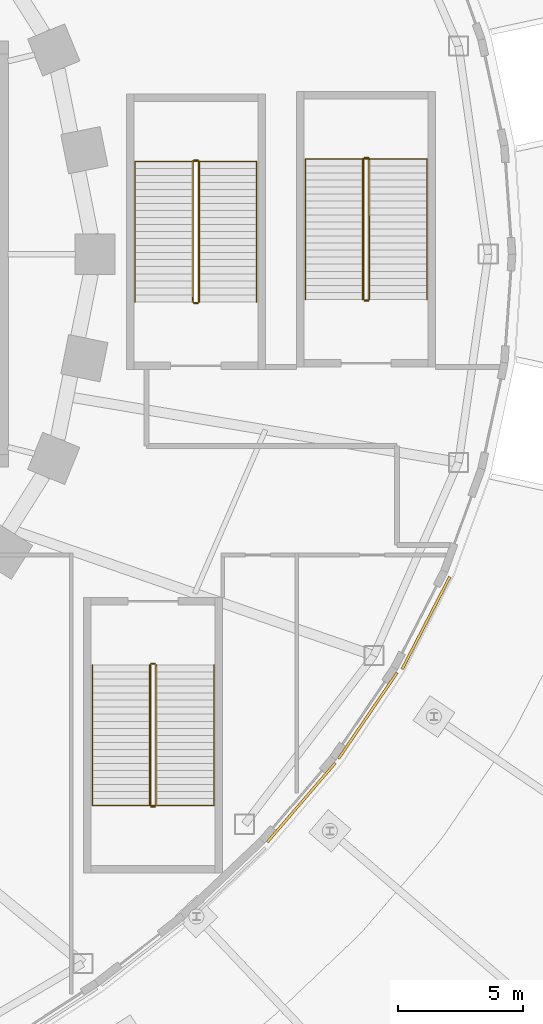
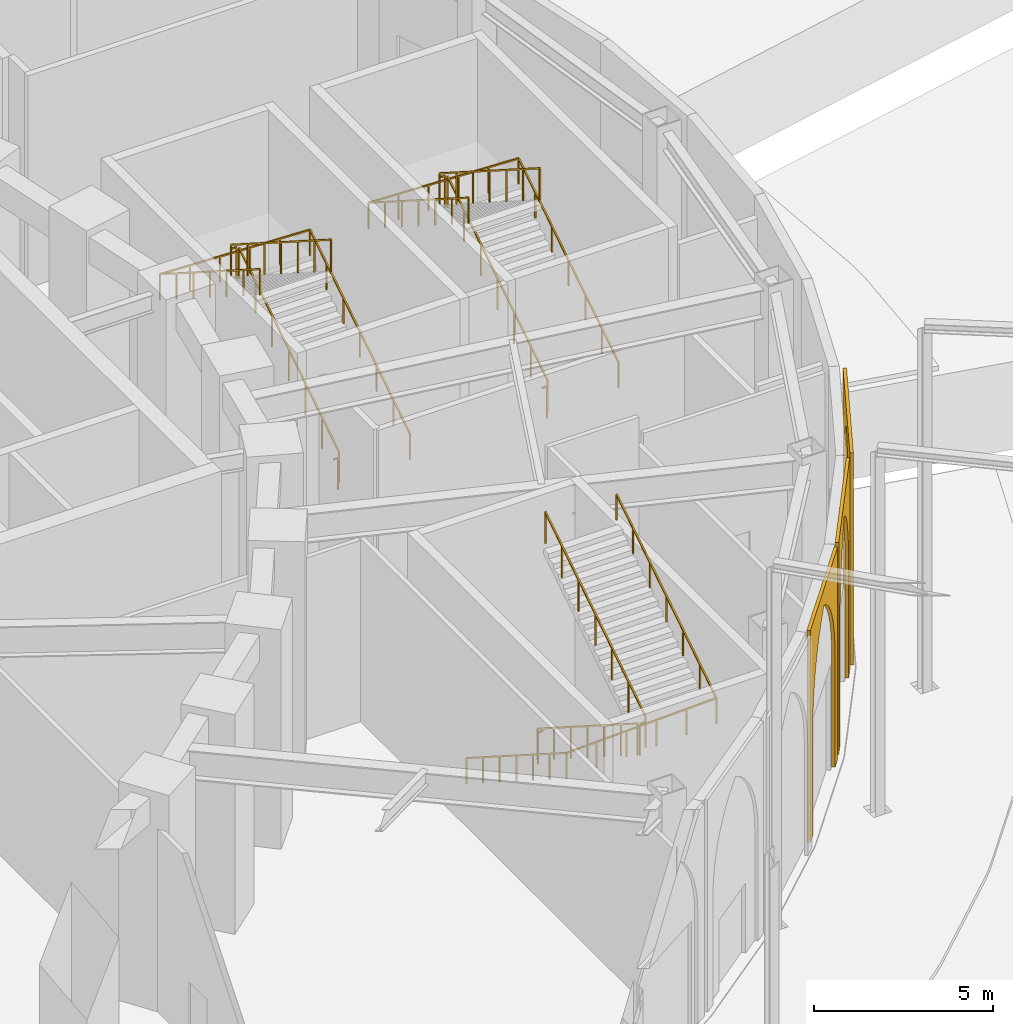
# One storey, part 77 of 79: 15 railings, 3 coverings.
"""IFC4 building model written with IfcOpenShell, lengths in metres."""

import ifcopenshell
import ifcopenshell.guid

model = None  # the IFC model being written
_history = None  # IfcOwnerHistory: only IFC2X3 demands one
_inside = {}  # id of a spatial element -> (the spatial element, [elements in it])
_under = {}  # id of a project, library or spatial element -> (it, [spatial elements below it])
_declared = {}  # id of a project -> (the project, [libraries it declares])
_typed = {}  # id of a type object -> (the type object, [elements of that type])
_made_of = {}  # id of a material, layer set ... -> (it, [elements and type objects made of it])


def new_model(schema):
    """Start an empty IFC model of exactly this schema.

    Asked for "IFC4X3", IfcOpenShell would pick the latest addendum, in which some entities
    have other attributes; the version numbers below select the first issue.
    IFC2X3 requires an IfcOwnerHistory on every rooted entity: one is made here for all.
    """
    global model, _history
    if schema == "IFC4X3":
        model = ifcopenshell.file(schema_version=(4, 3, 0, 0))
    else:
        model = ifcopenshell.file(schema=schema)
    _inside.clear()
    _under.clear()
    _declared.clear()
    _typed.clear()
    _made_of.clear()
    _history = None
    if model.schema == "IFC2X3":
        org = make("IfcOrganization", Name="unknown")
        user = make(
            "IfcPersonAndOrganization",
            ThePerson=make("IfcPerson", FamilyName="unknown"),
            TheOrganization=org,
        )
        app = make(
            "IfcApplication",
            ApplicationDeveloper=org,
            Version="unknown",
            ApplicationFullName="unknown",
            ApplicationIdentifier="unknown",
        )
        _history = make(
            "IfcOwnerHistory",
            OwningUser=user,
            OwningApplication=app,
            ChangeAction="ADDED",
            CreationDate=0,
        )
    return model


def make(cls, **values):
    """One entity of the class cls with the attributes given. An attribute that is None is left unset."""
    return model.create_entity(
        cls, **{name: value for name, value in values.items() if value is not None}
    )


def rooted(cls, **values):
    """An entity with a GlobalId (a new one), such as an element, a storey or a relation."""
    return make(cls, GlobalId=ifcopenshell.guid.new(), OwnerHistory=_history, **values)


def si_unit(unit_type, name, prefix=None):
    """IfcSIUnit, for example si_unit("LENGTHUNIT", "METRE", prefix="MILLI")."""
    return make("IfcSIUnit", UnitType=unit_type, Prefix=prefix, Name=name)


def assignment(units):
    """IfcUnitAssignment: the units of a project."""
    return None if units is None else make("IfcUnitAssignment", Units=units)


def point(xyz):
    """IfcCartesianPoint."""
    return None if xyz is None else make("IfcCartesianPoint", Coordinates=xyz)


def direction(xyz):
    """IfcDirection."""
    return None if xyz is None else make("IfcDirection", DirectionRatios=xyz)


def frame(location, z_axis=None, x_axis=None):
    """IfcAxis2Placement3D, a coordinate frame: its origin and axes. An axis left out is left unset."""
    return make(
        "IfcAxis2Placement3D",
        Location=point(location),
        Axis=direction(z_axis),
        RefDirection=direction(x_axis),
    )


def frame_2d(location, x_axis=None):
    """IfcAxis2Placement2D, a coordinate frame in the plane: its origin and x axis."""
    return make(
        "IfcAxis2Placement2D", Location=point(location), RefDirection=direction(x_axis)
    )


def origin():
    """The frame at (0, 0, 0) with its axes left unset."""
    return frame((0.0, 0.0, 0.0))


def origin_2d():
    """The frame at (0, 0) in the plane with its x axis left unset."""
    return frame_2d((0.0, 0.0))


def place(relative_to, where):
    """IfcLocalPlacement: puts the frame where relative to a parent placement (None: the world)."""
    return make(
        "IfcLocalPlacement", PlacementRelTo=relative_to, RelativePlacement=where
    )


def context(
    kind, dimensions, precision=None, world=None, true_north=None, identifier=None
):
    """IfcGeometricRepresentationContext, for example the 3D "Model" context."""
    return make(
        "IfcGeometricRepresentationContext",
        ContextIdentifier=identifier,
        ContextType=kind,
        CoordinateSpaceDimension=dimensions,
        Precision=precision,
        WorldCoordinateSystem=world,
        TrueNorth=true_north,
    )


def subcontext(parent, identifier, kind, view, scale=None):
    """IfcGeometricRepresentationSubContext, for example "Body" below "Model"."""
    return make(
        "IfcGeometricRepresentationSubContext",
        ContextIdentifier=identifier,
        ContextType=kind,
        ParentContext=parent,
        TargetScale=scale,
        TargetView=view,
    )


def project(units=None, contexts=None):
    """IfcProject with its units and contexts."""
    return rooted(
        "IfcProject",
        Name="project",
        RepresentationContexts=contexts,
        UnitsInContext=assignment(units),
    )


def spatial(cls, under=None, at=None, **own):
    """A site, building, storey or space (cls), placed at a placement, below another one or the project."""
    s = rooted(cls, ObjectPlacement=at, **own)
    if under is not None:
        _under.setdefault(under.id(), (under, []))[1].append(s)
    return s


def polyline(points):
    """IfcPolyline through the points."""
    return make("IfcPolyline", Points=[point(p) for p in points])


def profile(cls, at=None, kind="AREA", **sizes):
    """A parametric profile (cls). Its sizes go by their IFC names, for example OverallWidth=200.0."""
    return make(cls, ProfileType=kind, Position=at, **sizes)


def rectangle(**sizes):
    """IfcRectangleProfileDef."""
    return profile("IfcRectangleProfileDef", **sizes)


def outline(outer, holes=None, kind="AREA"):
    """IfcArbitraryClosedProfileDef: a profile drawn as a closed curve; with holes, ...WithVoids."""
    if holes is None:
        return make("IfcArbitraryClosedProfileDef", ProfileType=kind, OuterCurve=outer)
    return make(
        "IfcArbitraryProfileDefWithVoids",
        ProfileType=kind,
        OuterCurve=outer,
        InnerCurves=holes,
    )


def extrude(swept, where, along, depth):
    """IfcExtrudedAreaSolid: the profile swept, set in the frame where, extruded along a direction by depth."""
    return make(
        "IfcExtrudedAreaSolid",
        SweptArea=swept,
        Position=where,
        ExtrudedDirection=direction(along),
        Depth=depth,
    )


def shape(context_of_items, identifier, shape_type, items):
    """IfcShapeRepresentation: the items that make up one representation, for example the "Body"."""
    return make(
        "IfcShapeRepresentation",
        ContextOfItems=context_of_items,
        RepresentationIdentifier=identifier,
        RepresentationType=shape_type,
        Items=items,
    )


def material(Name=None, Category=None):
    """IfcMaterial."""
    return make("IfcMaterial", Name=Name, Category=Category)


def layer(
    of_material, thickness, ventilated=None, Name=None, Category=None, Priority=None
):
    """IfcMaterialLayer: one layer of a wall or slab, of a material (None: an air gap)."""
    return make(
        "IfcMaterialLayer",
        Material=of_material,
        LayerThickness=thickness,
        IsVentilated=ventilated,
        Name=Name,
        Category=Category,
        Priority=Priority,
    )


def layer_set(layers, Name=None):
    """IfcMaterialLayerSet."""
    return make("IfcMaterialLayerSet", MaterialLayers=layers, LayerSetName=Name)


def made_of(thing, what):
    """Note that an element or type object is made of a material, layer set ...; save() writes the relation."""
    if what is not None:
        _made_of.setdefault(what.id(), (what, []))[1].append(thing)
    return thing


def type_object(cls, material=None, **own):
    """A type object (cls), such as IfcWallType, which elements share."""
    return made_of(rooted(cls, **own), material)


def element(
    cls,
    number,
    at=None,
    inside=None,
    cuts=None,
    type_object=None,
    material=None,
    context=None,
    identifier="Body",
    shape_type=None,
    held_by="IfcProductDefinitionShape",
    body=None,
    shapes=None,
    **own,
):
    """One element of the class cls, such as IfcWall. Its Tag is "e" and its number.

    at: its placement. inside: the storey or other place that contains it. cuts: it is an
    opening in that element (IfcRelVoidsElement). A single representation is given by context,
    identifier, shape_type and body (its items); several are given by shapes. held_by: the class
    of the entity that holds the representations. save() writes the other relations.
    """
    e = rooted(cls, Tag="e%d" % number, ObjectPlacement=at, **own)
    if body is not None:
        shapes = [shape(context, identifier, shape_type, body)]
    if shapes is not None:
        e.Representation = make(held_by, Representations=shapes)
    if inside is not None:
        _inside.setdefault(inside.id(), (inside, []))[1].append(e)
    if cuts is not None:
        rooted(
            "IfcRelVoidsElement", RelatingBuildingElement=cuts, RelatedOpeningElement=e
        )
    if type_object is not None:
        _typed.setdefault(type_object.id(), (type_object, []))[1].append(e)
    return made_of(e, material)


def aggregate(whole, parts):
    """IfcRelAggregates: a whole, such as a stair, and the parts it consists of."""
    return rooted("IfcRelAggregates", RelatingObject=whole, RelatedObjects=parts)


def save(model, path):
    """Write the relations noted so far, then the file.

    IfcRelAggregates (storeys below a building ...), IfcRelContainedInSpatialStructure (elements
    in a storey), IfcRelDefinesByType, IfcRelAssociatesMaterial and IfcRelDeclares: one each for
    every whole, place, type object, material and project.
    """
    for whole, parts in _under.values():
        aggregate(whole, parts)
    for where, things in _inside.values():
        rooted(
            "IfcRelContainedInSpatialStructure",
            RelatedElements=things,
            RelatingStructure=where,
        )
    for kind, things in _typed.values():
        rooted("IfcRelDefinesByType", RelatedObjects=things, RelatingType=kind)
    for what, things in _made_of.values():
        rooted("IfcRelAssociatesMaterial", RelatedObjects=things, RelatingMaterial=what)
    for by, libraries in _declared.values():
        rooted("IfcRelDeclares", RelatingContext=by, RelatedDefinitions=libraries)
    model.write(path)


model = new_model("IFC4")

# Units and contexts
model_context = context("Model", 3, precision=1e-05, world=origin(), true_north=direction((0.0, 1.0)))
body_context = subcontext(model_context, "Body", "Model", "MODEL_VIEW")
ifc_project = project(units=[si_unit("LENGTHUNIT", "METRE"), si_unit("AREAUNIT", "SQUARE_METRE"), si_unit("VOLUMEUNIT", "CUBIC_METRE"), si_unit("PLANEANGLEUNIT", "RADIAN"), si_unit("MASSUNIT", "GRAM", prefix="KILO")], contexts=[model_context])

# Site, building, storey
site_placement = place(None, origin())
site = spatial("IfcSite", under=ifc_project, at=site_placement, CompositionType="ELEMENT")
building_placement = place(site_placement, origin())
building = spatial("IfcBuilding", under=site, at=building_placement, Name="Noorbagh Ring Tower", CompositionType="ELEMENT")
storey_placement = place(building_placement, origin())
storey = spatial("IfcBuildingStorey", under=building, at=storey_placement, Name="L00", CompositionType="ELEMENT", Elevation=0.0)

# Railings
ifc_material_1 = material(Name="Stainless steel", Category="steel")
railing_type_1 = type_object("IfcRailingType", Name="GND-STAIR-GUARD", PredefinedType="GUARDRAIL", material=ifc_material_1)
railing_1_placement = place(storey_placement, frame((39.10009765625, -1.89990234375, 0.178466796875)))
element("IfcRailing", 1, at=railing_1_placement, inside=storey, type_object=railing_type_1, Name="L00 ST-P2 stair guard", PredefinedType="GUARDRAIL", context=body_context, shape_type="SweptSolid", body=[
    extrude(rectangle(XDim=0.048095703125, YDim=0.048095703125, at=origin_2d()), frame((0.0, 0.0, 1.076171875), z_axis=(0.0, 0.843116171273, 0.537731458759), x_axis=(-1.0, 0.0, 0.0)), (0.0, 0.0, 1.0), 6.641845703125),
    extrude(rectangle(XDim=0.0419921875, YDim=0.0419921875, at=origin_2d()), origin(), (0.0, 0.0, 1.0), 1.052001953125),
    extrude(rectangle(XDim=0.0419921875, YDim=0.0419921875, at=origin_2d()), frame((0.0, 0.933349609375, 0.59521484375)), (0.0, 0.0, 1.0), 1.052001953125),
    extrude(rectangle(XDim=0.0419921875, YDim=0.0419921875, at=origin_2d()), frame((0.0, 1.86669921875, 1.1904296875)), (0.0, 0.0, 1.0), 1.052001953125),
    extrude(rectangle(XDim=0.0419921875, YDim=0.0419921875, at=origin_2d()), frame((0.0, 2.7998046875, 1.78564453125)), (0.0, 0.0, 1.0), 1.052001953125),
    extrude(rectangle(XDim=0.0419921875, YDim=0.0419921875, at=origin_2d()), frame((0.0, 3.733154296875, 2.381103515625)), (0.0, 0.0, 1.0), 1.052001953125),
    extrude(rectangle(XDim=0.0419921875, YDim=0.0419921875, at=origin_2d()), frame((0.0, 4.66650390625, 2.976318359375)), (0.0, 0.0, 1.0), 1.052001953125),
    extrude(rectangle(XDim=0.0419921875, YDim=0.0419921875, at=origin_2d()), frame((0.0, 5.599853515625, 3.571533203125)), (0.0, 0.0, 1.0), 1.052001953125),
])
railing_2_placement = place(storey_placement, frame((39.050048828125, 3.75, 3.75)))
element("IfcRailing", 2, at=railing_2_placement, inside=storey, type_object=railing_type_1, Name="L00 ST-P2 stair guard", PredefinedType="GUARDRAIL", context=body_context, shape_type="SweptSolid", body=[
    extrude(rectangle(XDim=0.048095703125, YDim=0.048095703125, at=origin_2d()), frame((0.0, 0.0, 1.076171875), z_axis=(-1.0, 0.0, 0.0), x_axis=(0.0, -1.0, 0.0)), (0.0, 0.0, 1.0), 0.150146484375),
    extrude(rectangle(XDim=0.0419921875, YDim=0.0419921875, at=origin_2d()), origin(), (0.0, 0.0, 1.0), 1.052001953125),
])
railing_3_placement = place(storey_placement, frame((38.85009765625, 3.699951171875, 3.928466796875)))
element("IfcRailing", 3, at=railing_3_placement, inside=storey, type_object=railing_type_1, Name="L00 ST-P2 stair guard", PredefinedType="GUARDRAIL", context=body_context, shape_type="SweptSolid", body=[
    extrude(rectangle(XDim=0.048095703125, YDim=0.048095703125, at=origin_2d()), frame((0.0, 0.0, 1.076171875), z_axis=(0.0, -0.843116171273, 0.537731458759), x_axis=(1.0, 0.0, 0.0)), (0.0, 0.0, 1.0), 6.641845703125),
    extrude(rectangle(XDim=0.0419921875, YDim=0.0419921875, at=origin_2d()), origin(), (0.0, 0.0, 1.0), 1.052001953125),
    extrude(rectangle(XDim=0.0419921875, YDim=0.0419921875, at=origin_2d()), frame((0.0, -0.933349609375, 0.59521484375)), (0.0, 0.0, 1.0), 1.052001953125),
    extrude(rectangle(XDim=0.0419921875, YDim=0.0419921875, at=origin_2d()), frame((0.0, -1.86669921875, 1.1904296875)), (0.0, 0.0, 1.0), 1.052001953125),
    extrude(rectangle(XDim=0.0419921875, YDim=0.0419921875, at=origin_2d()), frame((0.0, -2.7998046875, 1.78564453125)), (0.0, 0.0, 1.0), 1.052001953125),
    extrude(rectangle(XDim=0.0419921875, YDim=0.0419921875, at=origin_2d()), frame((0.0, -3.733154296875, 2.381103515625)), (0.0, 0.0, 1.0), 1.052001953125),
    extrude(rectangle(XDim=0.0419921875, YDim=0.0419921875, at=origin_2d()), frame((0.0, -4.66650390625, 2.976318359375)), (0.0, 0.0, 1.0), 1.052001953125),
    extrude(rectangle(XDim=0.0419921875, YDim=0.0419921875, at=origin_2d()), frame((0.0, -5.599853515625, 3.571533203125)), (0.0, 0.0, 1.0), 1.052001953125),
])
railing_4_placement = place(storey_placement, frame((39.050048828125, -1.949951171875, 0.0)))
element("IfcRailing", 4, at=railing_4_placement, inside=storey, type_object=railing_type_1, Name="L00 ST-P2 stair guard", PredefinedType="GUARDRAIL", context=body_context, shape_type="SweptSolid", body=[
    extrude(rectangle(XDim=0.048095703125, YDim=0.048095703125, at=origin_2d()), frame((0.0, 0.0, 1.076171875), z_axis=(-1.0, 0.0, 0.0), x_axis=(0.0, -1.0, 0.0)), (0.0, 0.0, 1.0), 0.150146484375),
    extrude(rectangle(XDim=0.0419921875, YDim=0.0419921875, at=origin_2d()), origin(), (0.0, 0.0, 1.0), 1.052001953125),
])
railing_5_placement = place(storey_placement, frame((45.89990234375, -1.800048828125, 0.178466796875)))
element("IfcRailing", 5, at=railing_5_placement, inside=storey, type_object=railing_type_1, Name="L00 ST-P4 stair guard", PredefinedType="GUARDRAIL", context=body_context, shape_type="SweptSolid", body=[
    extrude(rectangle(XDim=0.048095703125, YDim=0.048095703125, at=origin_2d()), frame((0.0, 0.0, 1.076171875), z_axis=(0.0, 0.843126799516, 0.537714794233), x_axis=(-1.0, 0.0, 0.0)), (0.0, 0.0, 1.0), 6.64208984375),
    extrude(rectangle(XDim=0.0419921875, YDim=0.0419921875, at=origin_2d()), origin(), (0.0, 0.0, 1.0), 1.052001953125),
    extrude(rectangle(XDim=0.0419921875, YDim=0.0419921875, at=origin_2d()), frame((0.0, 0.933349609375, 0.59521484375)), (0.0, 0.0, 1.0), 1.052001953125),
    extrude(rectangle(XDim=0.0419921875, YDim=0.0419921875, at=origin_2d()), frame((0.0, 1.86669921875, 1.1904296875)), (0.0, 0.0, 1.0), 1.052001953125),
    extrude(rectangle(XDim=0.0419921875, YDim=0.0419921875, at=origin_2d()), frame((0.0, 2.800048828125, 1.78564453125)), (0.0, 0.0, 1.0), 1.052001953125),
    extrude(rectangle(XDim=0.0419921875, YDim=0.0419921875, at=origin_2d()), frame((0.0, 3.7333984375, 2.381103515625)), (0.0, 0.0, 1.0), 1.052001953125),
    extrude(rectangle(XDim=0.0419921875, YDim=0.0419921875, at=origin_2d()), frame((0.0, 4.666748046875, 2.976318359375)), (0.0, 0.0, 1.0), 1.052001953125),
    extrude(rectangle(XDim=0.0419921875, YDim=0.0419921875, at=origin_2d()), frame((0.0, 5.60009765625, 3.571533203125)), (0.0, 0.0, 1.0), 1.052001953125),
])
railing_6_placement = place(storey_placement, frame((45.85009765625, 3.85009765625, 3.75)))
element("IfcRailing", 6, at=railing_6_placement, inside=storey, type_object=railing_type_1, Name="L00 ST-P4 stair guard", PredefinedType="GUARDRAIL", context=body_context, shape_type="SweptSolid", body=[
    extrude(rectangle(XDim=0.048095703125, YDim=0.048095703125, at=origin_2d()), frame((0.0, 0.0, 1.076171875), z_axis=(-1.0, 0.0, 0.0), x_axis=(0.0, -1.0, 0.0)), (0.0, 0.0, 1.0), 0.150146484375),
    extrude(rectangle(XDim=0.0419921875, YDim=0.0419921875, at=origin_2d()), origin(), (0.0, 0.0, 1.0), 1.052001953125),
])
railing_7_placement = place(storey_placement, frame((45.64990234375, 3.800048828125, 3.928466796875)))
element("IfcRailing", 7, at=railing_7_placement, inside=storey, type_object=railing_type_1, Name="L00 ST-P4 stair guard", PredefinedType="GUARDRAIL", context=body_context, shape_type="SweptSolid", body=[
    extrude(rectangle(XDim=0.048095703125, YDim=0.048095703125, at=origin_2d()), frame((0.0, 0.0, 1.076171875), z_axis=(0.0, -0.843126799516, 0.537714794233), x_axis=(1.0, 0.0, 0.0)), (0.0, 0.0, 1.0), 6.64208984375),
    extrude(rectangle(XDim=0.0419921875, YDim=0.0419921875, at=origin_2d()), origin(), (0.0, 0.0, 1.0), 1.052001953125),
    extrude(rectangle(XDim=0.0419921875, YDim=0.0419921875, at=origin_2d()), frame((0.0, -0.933349609375, 0.59521484375)), (0.0, 0.0, 1.0), 1.052001953125),
    extrude(rectangle(XDim=0.0419921875, YDim=0.0419921875, at=origin_2d()), frame((0.0, -1.86669921875, 1.1904296875)), (0.0, 0.0, 1.0), 1.052001953125),
    extrude(rectangle(XDim=0.0419921875, YDim=0.0419921875, at=origin_2d()), frame((0.0, -2.800048828125, 1.78564453125)), (0.0, 0.0, 1.0), 1.052001953125),
    extrude(rectangle(XDim=0.0419921875, YDim=0.0419921875, at=origin_2d()), frame((0.0, -3.7333984375, 2.381103515625)), (0.0, 0.0, 1.0), 1.052001953125),
    extrude(rectangle(XDim=0.0419921875, YDim=0.0419921875, at=origin_2d()), frame((0.0, -4.666748046875, 2.976318359375)), (0.0, 0.0, 1.0), 1.052001953125),
    extrude(rectangle(XDim=0.0419921875, YDim=0.0419921875, at=origin_2d()), frame((0.0, -5.60009765625, 3.571533203125)), (0.0, 0.0, 1.0), 1.052001953125),
])
railing_8_placement = place(storey_placement, frame((45.85009765625, -1.85009765625, 0.0)))
element("IfcRailing", 8, at=railing_8_placement, inside=storey, type_object=railing_type_1, Name="L00 ST-P4 stair guard", PredefinedType="GUARDRAIL", context=body_context, shape_type="SweptSolid", body=[
    extrude(rectangle(XDim=0.048095703125, YDim=0.048095703125, at=origin_2d()), frame((0.0, 0.0, 1.076171875), z_axis=(-1.0, 0.0, 0.0), x_axis=(0.0, -1.0, 0.0)), (0.0, 0.0, 1.0), 0.150146484375),
    extrude(rectangle(XDim=0.0419921875, YDim=0.0419921875, at=origin_2d()), origin(), (0.0, 0.0, 1.0), 1.052001953125),
])
railing_9_placement = place(storey_placement, frame((37.14990234375, -16.39990234375, 0.178466796875)))
element("IfcRailing", 9, at=railing_9_placement, inside=storey, type_object=railing_type_1, Name="L00 ST-P6 stair guard", PredefinedType="GUARDRAIL", context=body_context, shape_type="SweptSolid", body=[
    extrude(rectangle(XDim=0.048095703125, YDim=0.048095703125, at=origin_2d()), frame((0.0, 0.0, 1.076171875), z_axis=(0.0, -0.843126799516, 0.537714794233), x_axis=(1.0, 0.0, 0.0)), (0.0, 0.0, 1.0), 6.64208984375),
    extrude(rectangle(XDim=0.0419921875, YDim=0.0419921875, at=origin_2d()), origin(), (0.0, 0.0, 1.0), 1.052001953125),
    extrude(rectangle(XDim=0.0419921875, YDim=0.0419921875, at=origin_2d()), frame((0.0, -0.933349609375, 0.59521484375)), (0.0, 0.0, 1.0), 1.052001953125),
    extrude(rectangle(XDim=0.0419921875, YDim=0.0419921875, at=origin_2d()), frame((0.0, -1.86669921875, 1.1904296875)), (0.0, 0.0, 1.0), 1.052001953125),
    extrude(rectangle(XDim=0.0419921875, YDim=0.0419921875, at=origin_2d()), frame((0.0, -2.800048828125, 1.78564453125)), (0.0, 0.0, 1.0), 1.052001953125),
    extrude(rectangle(XDim=0.0419921875, YDim=0.0419921875, at=origin_2d()), frame((0.0, -3.7333984375, 2.381103515625)), (0.0, 0.0, 1.0), 1.052001953125),
    extrude(rectangle(XDim=0.0419921875, YDim=0.0419921875, at=origin_2d()), frame((0.0, -4.666748046875, 2.976318359375)), (0.0, 0.0, 1.0), 1.052001953125),
    extrude(rectangle(XDim=0.0419921875, YDim=0.0419921875, at=origin_2d()), frame((0.0, -5.60009765625, 3.571533203125)), (0.0, 0.0, 1.0), 1.052001953125),
])
railing_10_placement = place(storey_placement, frame((37.199951171875, -22.050048828125, 3.75)))
element("IfcRailing", 10, at=railing_10_placement, inside=storey, type_object=railing_type_1, Name="L00 ST-P6 stair guard", PredefinedType="GUARDRAIL", context=body_context, shape_type="SweptSolid", body=[
    extrude(rectangle(XDim=0.048095703125, YDim=0.048095703125, at=origin_2d()), frame((0.0, 0.0, 1.076171875), z_axis=(1.0, 0.0, 0.0), x_axis=(0.0, 1.0, 0.0)), (0.0, 0.0, 1.0), 0.150146484375),
    extrude(rectangle(XDim=0.0419921875, YDim=0.0419921875, at=origin_2d()), origin(), (0.0, 0.0, 1.0), 1.052001953125),
])
railing_11_placement = place(storey_placement, frame((37.39990234375, -22.0, 3.928466796875)))
element("IfcRailing", 11, at=railing_11_placement, inside=storey, type_object=railing_type_1, Name="L00 ST-P6 stair guard", PredefinedType="GUARDRAIL", context=body_context, shape_type="SweptSolid", body=[
    extrude(rectangle(XDim=0.048095703125, YDim=0.048095703125, at=origin_2d()), frame((0.0, 0.0, 1.076171875), z_axis=(0.0, 0.843126799516, 0.537714794233), x_axis=(-1.0, 0.0, 0.0)), (0.0, 0.0, 1.0), 6.64208984375),
    extrude(rectangle(XDim=0.0419921875, YDim=0.0419921875, at=origin_2d()), origin(), (0.0, 0.0, 1.0), 1.052001953125),
    extrude(rectangle(XDim=0.0419921875, YDim=0.0419921875, at=origin_2d()), frame((0.0, 0.933349609375, 0.59521484375)), (0.0, 0.0, 1.0), 1.052001953125),
    extrude(rectangle(XDim=0.0419921875, YDim=0.0419921875, at=origin_2d()), frame((0.0, 1.86669921875, 1.1904296875)), (0.0, 0.0, 1.0), 1.052001953125),
    extrude(rectangle(XDim=0.0419921875, YDim=0.0419921875, at=origin_2d()), frame((0.0, 2.800048828125, 1.78564453125)), (0.0, 0.0, 1.0), 1.052001953125),
    extrude(rectangle(XDim=0.0419921875, YDim=0.0419921875, at=origin_2d()), frame((0.0, 3.7333984375, 2.381103515625)), (0.0, 0.0, 1.0), 1.052001953125),
    extrude(rectangle(XDim=0.0419921875, YDim=0.0419921875, at=origin_2d()), frame((0.0, 4.666748046875, 2.976318359375)), (0.0, 0.0, 1.0), 1.052001953125),
    extrude(rectangle(XDim=0.0419921875, YDim=0.0419921875, at=origin_2d()), frame((0.0, 5.60009765625, 3.571533203125)), (0.0, 0.0, 1.0), 1.052001953125),
])
railing_12_placement = place(storey_placement, frame((37.199951171875, -16.35009765625, 0.0)))
element("IfcRailing", 12, at=railing_12_placement, inside=storey, type_object=railing_type_1, Name="L00 ST-P6 stair guard", PredefinedType="GUARDRAIL", context=body_context, shape_type="SweptSolid", body=[
    extrude(rectangle(XDim=0.048095703125, YDim=0.048095703125, at=origin_2d()), frame((0.0, 0.0, 1.076171875), z_axis=(1.0, 0.0, 0.0), x_axis=(0.0, 1.0, 0.0)), (0.0, 0.0, 1.0), 0.150146484375),
    extrude(rectangle(XDim=0.0419921875, YDim=0.0419921875, at=origin_2d()), origin(), (0.0, 0.0, 1.0), 1.052001953125),
])
ifc_material_2 = material(Name="Stainless steel", Category="steel")
railing_type_2 = type_object("IfcRailingType", Name="GND-STAIR-HANDRAIL", PredefinedType="HANDRAIL", material=ifc_material_2)
railing_13_placement = place(storey_placement, frame((41.39990234375, -1.89990234375, 0.178466796875)))
element("IfcRailing", 13, at=railing_13_placement, inside=storey, type_object=railing_type_2, Name="L00 ST-P2 stair handrail", PredefinedType="HANDRAIL", context=body_context, shape_type="SweptSolid", body=[
    extrude(rectangle(XDim=0.048095703125, YDim=0.048095703125, at=origin_2d()), frame((0.0, 0.0, 0.8759765625), z_axis=(0.0, 0.843116171273, 0.537731458759), x_axis=(-1.0, 0.0, 0.0)), (0.0, 0.0, 1.0), 6.641845703125),
    extrude(rectangle(XDim=0.048095703125, YDim=0.048095703125, at=origin_2d()), frame((0.0, 5.599853515625, 4.447265625), z_axis=(-0.999323626121, 0.0, 0.036773499657), x_axis=(0.0, -1.0, 0.0)), (0.0, 0.0, 1.0), 4.85302734375),
    extrude(rectangle(XDim=0.048095703125, YDim=0.048095703125, at=origin_2d()), frame((-4.849853515625, 5.599853515625, 4.6259765625), z_axis=(0.0, -0.843116171273, 0.537731458759), x_axis=(1.0, 0.0, 0.0)), (0.0, 0.0, 1.0), 6.641845703125),
    extrude(rectangle(XDim=0.0419921875, YDim=0.0419921875, at=origin_2d()), origin(), (0.0, 0.0, 1.0), 0.851806640625),
    extrude(rectangle(XDim=0.0419921875, YDim=0.0419921875, at=origin_2d()), frame((0.0, 0.933349609375, 0.59521484375)), (0.0, 0.0, 1.0), 0.851806640625),
    extrude(rectangle(XDim=0.0419921875, YDim=0.0419921875, at=origin_2d()), frame((0.0, 1.86669921875, 1.1904296875)), (0.0, 0.0, 1.0), 0.851806640625),
    extrude(rectangle(XDim=0.0419921875, YDim=0.0419921875, at=origin_2d()), frame((0.0, 2.7998046875, 1.78564453125)), (0.0, 0.0, 1.0), 0.851806640625),
    extrude(rectangle(XDim=0.0419921875, YDim=0.0419921875, at=origin_2d()), frame((0.0, 3.733154296875, 2.381103515625)), (0.0, 0.0, 1.0), 0.851806640625),
    extrude(rectangle(XDim=0.0419921875, YDim=0.0419921875, at=origin_2d()), frame((0.0, 4.66650390625, 2.976318359375)), (0.0, 0.0, 1.0), 0.851806640625),
    extrude(rectangle(XDim=0.0419921875, YDim=0.0419921875, at=origin_2d()), frame((0.0, 5.599853515625, 3.571533203125)), (0.0, 0.0, 1.0), 0.851806640625),
    extrude(rectangle(XDim=0.0419921875, YDim=0.0419921875, at=origin_2d()), frame((-0.969970703125, 5.599853515625, 3.607177734375)), (0.0, 0.0, 1.0), 0.851806640625),
    extrude(rectangle(XDim=0.0419921875, YDim=0.0419921875, at=origin_2d()), frame((-1.93994140625, 5.599853515625, 3.642822265625)), (0.0, 0.0, 1.0), 0.851806640625),
    extrude(rectangle(XDim=0.0419921875, YDim=0.0419921875, at=origin_2d()), frame((-2.909912109375, 5.599853515625, 3.6787109375)), (0.0, 0.0, 1.0), 0.851806640625),
    extrude(rectangle(XDim=0.0419921875, YDim=0.0419921875, at=origin_2d()), frame((-3.8798828125, 5.599853515625, 3.71435546875)), (0.0, 0.0, 1.0), 0.851806640625),
    extrude(rectangle(XDim=0.0419921875, YDim=0.0419921875, at=origin_2d()), frame((-4.849853515625, 5.599853515625, 3.75)), (0.0, 0.0, 1.0), 0.851806640625),
    extrude(rectangle(XDim=0.0419921875, YDim=0.0419921875, at=origin_2d()), frame((-4.849853515625, 4.66650390625, 4.34521484375)), (0.0, 0.0, 1.0), 0.851806640625),
    extrude(rectangle(XDim=0.0419921875, YDim=0.0419921875, at=origin_2d()), frame((-4.849853515625, 3.733154296875, 4.9404296875)), (0.0, 0.0, 1.0), 0.851806640625),
    extrude(rectangle(XDim=0.0419921875, YDim=0.0419921875, at=origin_2d()), frame((-4.849853515625, 2.7998046875, 5.53564453125)), (0.0, 0.0, 1.0), 0.851806640625),
    extrude(rectangle(XDim=0.0419921875, YDim=0.0419921875, at=origin_2d()), frame((-4.849853515625, 1.86669921875, 6.131103515625)), (0.0, 0.0, 1.0), 0.851806640625),
    extrude(rectangle(XDim=0.0419921875, YDim=0.0419921875, at=origin_2d()), frame((-4.849853515625, 0.933349609375, 6.726318359375)), (0.0, 0.0, 1.0), 0.851806640625),
    extrude(rectangle(XDim=0.0419921875, YDim=0.0419921875, at=origin_2d()), frame((-4.849853515625, 0.0, 7.321533203125)), (0.0, 0.0, 1.0), 0.851806640625),
])
railing_14_placement = place(storey_placement, frame((48.199951171875, -1.800048828125, 0.178466796875)))
element("IfcRailing", 14, at=railing_14_placement, inside=storey, type_object=railing_type_2, Name="L00 ST-P4 stair handrail", PredefinedType="HANDRAIL", context=body_context, shape_type="SweptSolid", body=[
    extrude(rectangle(XDim=0.048095703125, YDim=0.048095703125, at=origin_2d()), frame((0.0, 0.0, 0.8759765625), z_axis=(0.0, 0.843126799516, 0.537714794233), x_axis=(-1.0, 0.0, 0.0)), (0.0, 0.0, 1.0), 6.64208984375),
    extrude(rectangle(XDim=0.048095703125, YDim=0.048095703125, at=origin_2d()), frame((0.0, 5.60009765625, 4.447265625), z_axis=(-0.999323626121, 0.0, 0.036773499657), x_axis=(0.0, -1.0, 0.0)), (0.0, 0.0, 1.0), 4.85302734375),
    extrude(rectangle(XDim=0.048095703125, YDim=0.048095703125, at=origin_2d()), frame((-4.849853515625, 5.60009765625, 4.6259765625), z_axis=(0.0, -0.843126799516, 0.537714794233), x_axis=(1.0, 0.0, 0.0)), (0.0, 0.0, 1.0), 6.64208984375),
    extrude(rectangle(XDim=0.0419921875, YDim=0.0419921875, at=origin_2d()), origin(), (0.0, 0.0, 1.0), 0.851806640625),
    extrude(rectangle(XDim=0.0419921875, YDim=0.0419921875, at=origin_2d()), frame((0.0, 0.933349609375, 0.59521484375)), (0.0, 0.0, 1.0), 0.851806640625),
    extrude(rectangle(XDim=0.0419921875, YDim=0.0419921875, at=origin_2d()), frame((0.0, 1.86669921875, 1.1904296875)), (0.0, 0.0, 1.0), 0.851806640625),
    extrude(rectangle(XDim=0.0419921875, YDim=0.0419921875, at=origin_2d()), frame((0.0, 2.800048828125, 1.78564453125)), (0.0, 0.0, 1.0), 0.851806640625),
    extrude(rectangle(XDim=0.0419921875, YDim=0.0419921875, at=origin_2d()), frame((0.0, 3.7333984375, 2.381103515625)), (0.0, 0.0, 1.0), 0.851806640625),
    extrude(rectangle(XDim=0.0419921875, YDim=0.0419921875, at=origin_2d()), frame((0.0, 4.666748046875, 2.976318359375)), (0.0, 0.0, 1.0), 0.851806640625),
    extrude(rectangle(XDim=0.0419921875, YDim=0.0419921875, at=origin_2d()), frame((0.0, 5.60009765625, 3.571533203125)), (0.0, 0.0, 1.0), 0.851806640625),
    extrude(rectangle(XDim=0.0419921875, YDim=0.0419921875, at=origin_2d()), frame((-0.969970703125, 5.60009765625, 3.607177734375)), (0.0, 0.0, 1.0), 0.851806640625),
    extrude(rectangle(XDim=0.0419921875, YDim=0.0419921875, at=origin_2d()), frame((-1.93994140625, 5.60009765625, 3.642822265625)), (0.0, 0.0, 1.0), 0.851806640625),
    extrude(rectangle(XDim=0.0419921875, YDim=0.0419921875, at=origin_2d()), frame((-2.909912109375, 5.60009765625, 3.6787109375)), (0.0, 0.0, 1.0), 0.851806640625),
    extrude(rectangle(XDim=0.0419921875, YDim=0.0419921875, at=origin_2d()), frame((-3.8798828125, 5.60009765625, 3.71435546875)), (0.0, 0.0, 1.0), 0.851806640625),
    extrude(rectangle(XDim=0.0419921875, YDim=0.0419921875, at=origin_2d()), frame((-4.849853515625, 5.60009765625, 3.75)), (0.0, 0.0, 1.0), 0.851806640625),
    extrude(rectangle(XDim=0.0419921875, YDim=0.0419921875, at=origin_2d()), frame((-4.849853515625, 4.666748046875, 4.34521484375)), (0.0, 0.0, 1.0), 0.851806640625),
    extrude(rectangle(XDim=0.0419921875, YDim=0.0419921875, at=origin_2d()), frame((-4.849853515625, 3.7333984375, 4.9404296875)), (0.0, 0.0, 1.0), 0.851806640625),
    extrude(rectangle(XDim=0.0419921875, YDim=0.0419921875, at=origin_2d()), frame((-4.849853515625, 2.800048828125, 5.53564453125)), (0.0, 0.0, 1.0), 0.851806640625),
    extrude(rectangle(XDim=0.0419921875, YDim=0.0419921875, at=origin_2d()), frame((-4.849853515625, 1.86669921875, 6.131103515625)), (0.0, 0.0, 1.0), 0.851806640625),
    extrude(rectangle(XDim=0.0419921875, YDim=0.0419921875, at=origin_2d()), frame((-4.849853515625, 0.933349609375, 6.726318359375)), (0.0, 0.0, 1.0), 0.851806640625),
    extrude(rectangle(XDim=0.0419921875, YDim=0.0419921875, at=origin_2d()), frame((-4.849853515625, 0.0, 7.321533203125)), (0.0, 0.0, 1.0), 0.851806640625),
])
railing_15_placement = place(storey_placement, frame((34.85009765625, -16.39990234375, 0.178466796875)))
element("IfcRailing", 15, at=railing_15_placement, inside=storey, type_object=railing_type_2, Name="L00 ST-P6 stair handrail", PredefinedType="HANDRAIL", context=body_context, shape_type="SweptSolid", body=[
    extrude(rectangle(XDim=0.048095703125, YDim=0.048095703125, at=origin_2d()), frame((0.0, 0.0, 0.8759765625), z_axis=(0.0, -0.843126799516, 0.537714794233), x_axis=(1.0, 0.0, 0.0)), (0.0, 0.0, 1.0), 6.64208984375),
    extrude(rectangle(XDim=0.048095703125, YDim=0.048095703125, at=origin_2d()), frame((0.0, -5.60009765625, 4.447265625), z_axis=(0.999323626121, 0.0, 0.036773499657), x_axis=(0.0, 1.0, 0.0)), (0.0, 0.0, 1.0), 4.85302734375),
    extrude(rectangle(XDim=0.048095703125, YDim=0.048095703125, at=origin_2d()), frame((4.849853515625, -5.60009765625, 4.6259765625), z_axis=(0.0, 0.843126799516, 0.537714794233), x_axis=(-1.0, 0.0, 0.0)), (0.0, 0.0, 1.0), 6.64208984375),
    extrude(rectangle(XDim=0.0419921875, YDim=0.0419921875, at=origin_2d()), origin(), (0.0, 0.0, 1.0), 0.851806640625),
    extrude(rectangle(XDim=0.0419921875, YDim=0.0419921875, at=origin_2d()), frame((0.0, -0.933349609375, 0.59521484375)), (0.0, 0.0, 1.0), 0.851806640625),
    extrude(rectangle(XDim=0.0419921875, YDim=0.0419921875, at=origin_2d()), frame((0.0, -1.86669921875, 1.1904296875)), (0.0, 0.0, 1.0), 0.851806640625),
    extrude(rectangle(XDim=0.0419921875, YDim=0.0419921875, at=origin_2d()), frame((0.0, -2.800048828125, 1.78564453125)), (0.0, 0.0, 1.0), 0.851806640625),
    extrude(rectangle(XDim=0.0419921875, YDim=0.0419921875, at=origin_2d()), frame((0.0, -3.7333984375, 2.381103515625)), (0.0, 0.0, 1.0), 0.851806640625),
    extrude(rectangle(XDim=0.0419921875, YDim=0.0419921875, at=origin_2d()), frame((0.0, -4.666748046875, 2.976318359375)), (0.0, 0.0, 1.0), 0.851806640625),
    extrude(rectangle(XDim=0.0419921875, YDim=0.0419921875, at=origin_2d()), frame((0.0, -5.60009765625, 3.571533203125)), (0.0, 0.0, 1.0), 0.851806640625),
    extrude(rectangle(XDim=0.0419921875, YDim=0.0419921875, at=origin_2d()), frame((0.969970703125, -5.60009765625, 3.607177734375)), (0.0, 0.0, 1.0), 0.851806640625),
    extrude(rectangle(XDim=0.0419921875, YDim=0.0419921875, at=origin_2d()), frame((1.93994140625, -5.60009765625, 3.642822265625)), (0.0, 0.0, 1.0), 0.851806640625),
    extrude(rectangle(XDim=0.0419921875, YDim=0.0419921875, at=origin_2d()), frame((2.909912109375, -5.60009765625, 3.6787109375)), (0.0, 0.0, 1.0), 0.851806640625),
    extrude(rectangle(XDim=0.0419921875, YDim=0.0419921875, at=origin_2d()), frame((3.8798828125, -5.60009765625, 3.71435546875)), (0.0, 0.0, 1.0), 0.851806640625),
    extrude(rectangle(XDim=0.0419921875, YDim=0.0419921875, at=origin_2d()), frame((4.849853515625, -5.60009765625, 3.75)), (0.0, 0.0, 1.0), 0.851806640625),
    extrude(rectangle(XDim=0.0419921875, YDim=0.0419921875, at=origin_2d()), frame((4.849853515625, -4.666748046875, 4.34521484375)), (0.0, 0.0, 1.0), 0.851806640625),
    extrude(rectangle(XDim=0.0419921875, YDim=0.0419921875, at=origin_2d()), frame((4.849853515625, -3.7333984375, 4.9404296875)), (0.0, 0.0, 1.0), 0.851806640625),
    extrude(rectangle(XDim=0.0419921875, YDim=0.0419921875, at=origin_2d()), frame((4.849853515625, -2.800048828125, 5.53564453125)), (0.0, 0.0, 1.0), 0.851806640625),
    extrude(rectangle(XDim=0.0419921875, YDim=0.0419921875, at=origin_2d()), frame((4.849853515625, -1.86669921875, 6.131103515625)), (0.0, 0.0, 1.0), 0.851806640625),
    extrude(rectangle(XDim=0.0419921875, YDim=0.0419921875, at=origin_2d()), frame((4.849853515625, -0.933349609375, 6.726318359375)), (0.0, 0.0, 1.0), 0.851806640625),
    extrude(rectangle(XDim=0.0419921875, YDim=0.0419921875, at=origin_2d()), frame((4.849853515625, 0.0, 7.321533203125)), (0.0, 0.0, 1.0), 0.851806640625),
])

# Coverings
ifc_material_3 = material(Name="Red sandstone cladding", Category="masonry")
ifc_layer = layer(ifc_material_3, 0.10009765625)
ifc_layer_set = layer_set([ifc_layer], Name="Red sandstone cladding")
covering_type = type_object("IfcCoveringType", Name="STY-SPANDREL", PredefinedType="USERDEFINED", material=ifc_layer_set)
covering_1_placement = place(storey_placement, frame((41.871337890625, -23.492919921875, 0.0), z_axis=(0.75875641917, -0.651374467054, 6.200918e-06), x_axis=(0.651374467067, 0.758756419184, 2.47e-10)))
element("IfcCovering", 16, at=covering_1_placement, inside=storey, type_object=covering_type, Name="Arch spandrel", ObjectType="ARCH", PredefinedType="USERDEFINED", context=body_context, shape_type="SweptSolid", body=[
    extrude(outline(polyline([(0.0, 0.0), (0.399939156593362, -2.117582368135751e-22), (0.39993915753357273, 3.8000488280519407), (0.4286708850030375, 4.237548827352265), (0.514203743018228, 4.66772460898029), (0.6551344343367632, 5.083007812076974), (0.8492120942750822, 5.4763183585072905), (1.0928087772061397, 5.8410644520367985), (1.38195226726699, 6.170654296593714), (1.7117703485598805, 6.459716796435672), (2.07638421077644, 6.703613280318032), (2.440998072872309, 6.45971679545977), (2.7708161540221594, 6.170654295312843), (3.059774400653512, 5.841064451396363), (3.303556326670481, 5.476318358425965), (3.4972897161782726, 5.0830078112840535), (3.638379434260807, 4.667724606997989), (3.7239122920631287, 4.237548826142554), (3.7528292625825026, 3.800048826445769), (3.752829261642292, -1.6061715723068696e-09), (4.152768418235654, -1.6061715723051756e-09), (4.152768420029454, 7.249999998254442), (1.7938001202860929e-09, 7.249999999860613), (0.0, 0.0)])), origin(), (0.0, 0.0, -1.0), 0.10009765625),
])
covering_2_placement = place(storey_placement, frame((44.714599609375, -20.161376953125, 0.0), z_axis=(0.826645111421, -0.562723607792, 3.158038e-05), x_axis=(0.562723608073, 0.826645111833, -4.608e-09)))
element("IfcCovering", 17, at=covering_2_placement, inside=storey, type_object=covering_type, Name="Arch spandrel", ObjectType="ARCH", PredefinedType="USERDEFINED", context=body_context, shape_type="SweptSolid", body=[
    extrude(outline(polyline([(0.0, 0.0), (0.39992886915652237, -8.470329472543003e-22), (0.3999288516454719, 3.800048826230067), (0.42857248585740876, 4.237060545091614), (0.5141641912069348, 4.666748047899035), (0.6548790930690014, 5.081542964022724), (0.8486819833904349, 5.474365227540926), (1.0919145971101432, 5.838623046862827), (1.3807898012441513, 6.167968749597674), (1.7100907076820775, 6.45678711044775), (2.0745359943492865, 6.700195315277563), (2.438642081912167, 6.45678711613342), (2.7679429910119078, 6.167968758521539), (3.0568181981812392, 5.838623055334851), (3.3001881989514064, 5.474365243647187), (3.493991092893178, 5.081542976307159), (3.634770432538967, 4.6667480598069355), (3.7201603241943326, 4.237060558703333), (3.7488039624338674, 3.8000488405007213), (3.7488039799449178, 1.4270654628338012e-08), (4.1489346667556966, 1.8610213852394465e-08), (4.148934633346885, 7.250000014994927), (-3.3408811828170246e-08, 7.249999996384713), (0.0, 0.0)])), origin(), (0.0, 0.0, -1.0), 0.10009765625),
])
covering_3_placement = place(storey_placement, frame((47.1669921875, -16.534423828125, 0.0), z_axis=(-0.888321749773, 0.45922158971, 2.0608095e-05), x_axis=(0.459221589807, 0.888321749962, -7.655e-09)))
element("IfcCovering", 18, at=covering_3_placement, inside=storey, type_object=covering_type, Name="Arch spandrel", ObjectType="ARCH", PredefinedType="USERDEFINED", context=body_context, shape_type="SweptSolid", body=[
    extrude(outline(polyline([(0.0, 0.0), (0.40008083581034976, 0.0), (0.4000808067227761, -3.8000488273180713), (0.42869003869526356, -4.23657226600259), (0.513859761205178, -4.665771484170215), (0.6546103579555558, -5.080078127212542), (0.84810038685253, -5.47241211327268), (1.0913836450172085, -5.836181648522695), (1.379868979201033, -6.165283209577351), (1.708650953809713, -6.453857434013534), (2.0724804354389748, -6.697021497247876), (2.4364220354367965, -6.453857440055736), (2.765420889890511, -6.165283224805666), (3.053689353685332, -5.836181663308898), (3.2968605027730287, -5.472412131743154), (3.490462652322213, -5.080078153690163), (3.631101140769284, -4.665771511188195), (3.716382984495781, -4.236572296508346), (3.7450969839323167, -3.8000488535991974), (3.7450970130198904, -2.6281126003921342e-08), (4.145073088048952, -3.3060182804931523e-08), (4.145073032553636, -7.250000031520668), (-5.549531559902495e-08, -7.249999998460485), (0.0, 0.0)])), origin(), (0.0, 0.0, -1.0), 0.10009765625),
])

save(model, "model.ifc")
